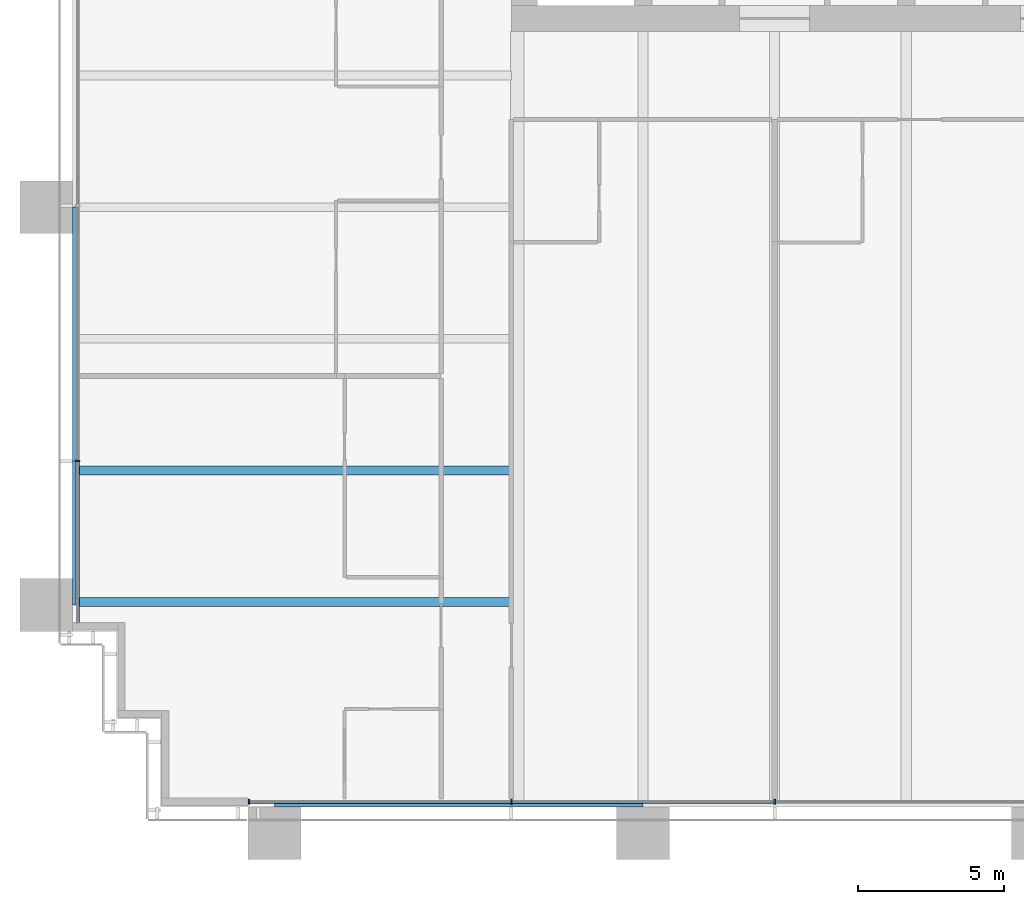
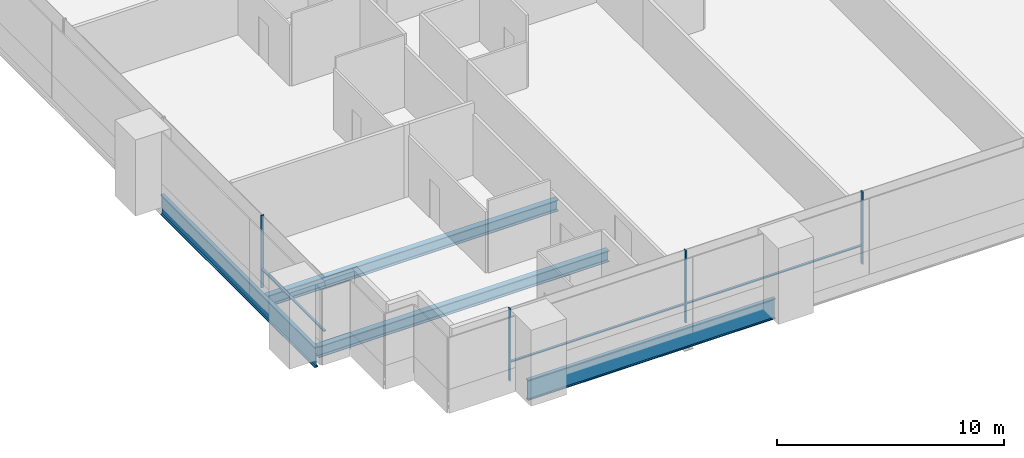
# One storey, part 2 of 19: 7 members, 4 beams, 2 elements without a shape of their own.
"""IFC4 building model written with IfcOpenShell, lengths in metres."""

from ifc_helpers import new_model, si_unit, direction, frame, origin, origin_2d, place, context, subcontext, project, spatial, rectangle, i_section, extrude, material, material_profile, profile_set, type_object, element, aggregate, save


model = new_model("IFC4")

# Units and contexts
model_context = context("Model", 3, precision=1e-05, world=origin(), true_north=direction((0.0, 1.0)))
body_context = subcontext(model_context, "Body", "Model", "MODEL_VIEW")
ifc_project = project(units=[si_unit("LENGTHUNIT", "METRE"), si_unit("AREAUNIT", "SQUARE_METRE"), si_unit("VOLUMEUNIT", "CUBIC_METRE"), si_unit("PLANEANGLEUNIT", "RADIAN"), si_unit("MASSUNIT", "GRAM", prefix="KILO")], contexts=[model_context])

# Site, building, storey
site_placement = place(None, origin())
site = spatial("IfcSite", under=ifc_project, at=site_placement, CompositionType="ELEMENT")
building_placement = place(site_placement, origin())
building = spatial("IfcBuilding", under=site, at=building_placement, Name="Rattan Terrace Tower", CompositionType="ELEMENT")
storey_placement = place(building_placement, frame((0.0, 0.0, 65.199951171875)))
storey = spatial("IfcBuildingStorey", under=building, at=storey_placement, Name="L14", CompositionType="ELEMENT", Elevation=65.199951171875)

# Curtain wall, member
ifc_material_1 = material(Name="Aluminium and glass", Category="aluminium")
curtain_wall_type = type_object("IfcCurtainWallType", Name="Facade Unitised Curtain Wall", PredefinedType="NOTDEFINED", material=ifc_material_1)
curtain_wall_1_placement = place(storey_placement, origin())
curtain_wall_1 = element("IfcCurtainWall", 1, at=curtain_wall_1_placement, inside=storey, type_object=curtain_wall_type, Name="Curtain wall L14-3", PredefinedType="NOTDEFINED")
ifc_material_2 = material(Name="Aluminium", Category="aluminium")
ifc_material_profile_1 = material_profile(ifc_material_2, rectangle(XDim=0.06005859375, YDim=0.159912109375, at=origin_2d()), Name="Aluminium 60x160")
ifc_profile_set_1 = profile_set([ifc_material_profile_1], Name="Aluminium")
member_type_1 = type_object("IfcMemberType", Name="Facade CW Mullion 60x160", PredefinedType="MULLION", material=ifc_profile_set_1)
member_1_placement = place(storey_placement, frame((-32.830078125, -22.180908203125, 0.0), z_axis=(0.0, 0.0, 1.0), x_axis=(0.0, -1.0, 0.0)))
member_1 = element("IfcMember", 2, at=member_1_placement, type_object=member_type_1, Name="Mullion cwl-L14-003.4", PredefinedType="MULLION", context=body_context, shape_type="SweptSolid", body=[
    extrude(rectangle(XDim=0.06005859375, YDim=0.159912109375, at=origin_2d()), origin(), (0.0, 0.0, 1.0), 3.900146484375),
])

# Curtain wall, members
curtain_wall_2_placement = place(storey_placement, origin())
curtain_wall_2 = element("IfcCurtainWall", 3, at=curtain_wall_2_placement, inside=storey, type_object=curtain_wall_type, Name="Curtain wall L14-4", PredefinedType="NOTDEFINED")
member_2_placement = place(storey_placement, frame((-26.969970703125, -33.830078125, 0.0), z_axis=(0.0, 0.0, 1.0), x_axis=(1.0, 0.0, 0.0)))
member_2 = element("IfcMember", 4, at=member_2_placement, type_object=member_type_1, Name="Mullion cwl-L14-004.1", PredefinedType="MULLION", context=body_context, shape_type="SweptSolid", body=[
    extrude(rectangle(XDim=0.06005859375, YDim=0.159912109375, at=origin_2d()), origin(), (0.0, 0.0, 1.0), 3.900146484375),
])
member_3_placement = place(storey_placement, frame((-18.0, -33.830078125, 0.0), z_axis=(0.0, 0.0, 1.0), x_axis=(1.0, 0.0, 0.0)))
member_3 = element("IfcMember", 5, at=member_3_placement, type_object=member_type_1, Name="Mullion cwl-L14-004.2", PredefinedType="MULLION", context=body_context, shape_type="SweptSolid", body=[
    extrude(rectangle(XDim=0.06005859375, YDim=0.159912109375, at=origin_2d()), origin(), (0.0, 0.0, 1.0), 3.900146484375),
])
member_4_placement = place(storey_placement, frame((-9.0, -33.830078125, 0.0), z_axis=(0.0, 0.0, 1.0), x_axis=(1.0, 0.0, 0.0)))
member_4 = element("IfcMember", 6, at=member_4_placement, type_object=member_type_1, Name="Mullion cwl-L14-004.3", PredefinedType="MULLION", context=body_context, shape_type="SweptSolid", body=[
    extrude(rectangle(XDim=0.06005859375, YDim=0.159912109375, at=origin_2d()), origin(), (0.0, 0.0, 1.0), 3.900146484375),
])

# Member
ifc_material_3 = material(Name="Aluminium", Category="aluminium")
ifc_material_profile_2 = material_profile(ifc_material_3, rectangle(XDim=0.1201171875, YDim=0.06005859375, at=origin_2d()), Name="Aluminium 120x60")
ifc_profile_set_2 = profile_set([ifc_material_profile_2], Name="Aluminium")
member_type_2 = type_object("IfcMemberType", Name="Facade CW Transom 120x60", PredefinedType="USERDEFINED", material=ifc_profile_set_2)
member_5_placement = place(storey_placement, frame((-32.830078125, -22.2109375, 1.0), z_axis=(0.0, -1.0, 0.0), x_axis=(1.0, 0.0, 0.0)))
member_5 = element("IfcMember", 7, at=member_5_placement, type_object=member_type_2, Name="Transom cwl-L14-003.4", ObjectType="TRANSOM", PredefinedType="USERDEFINED", context=body_context, shape_type="SweptSolid", body=[
    extrude(rectangle(XDim=0.1201171875, YDim=0.06005859375, at=origin_2d()), origin(), (0.0, 0.0, 1.0), 5.494140625),
])

aggregate(curtain_wall_1, [member_1, member_5])

member_6_placement = place(storey_placement, frame((-26.93994140625, -33.830078125, 1.0), z_axis=(1.0, 0.0, 0.0), x_axis=(0.0, 1.0, 0.0)))
member_6 = element("IfcMember", 8, at=member_6_placement, type_object=member_type_2, Name="Transom cwl-L14-004.1", ObjectType="TRANSOM", PredefinedType="USERDEFINED", context=body_context, shape_type="SweptSolid", body=[
    extrude(rectangle(XDim=0.1201171875, YDim=0.06005859375, at=origin_2d()), origin(), (0.0, 0.0, 1.0), 8.909912109375),
])

member_7_placement = place(storey_placement, frame((-17.969970703125, -33.830078125, 1.0), z_axis=(1.0, 0.0, 0.0), x_axis=(0.0, 1.0, 0.0)))
member_7 = element("IfcMember", 9, at=member_7_placement, type_object=member_type_2, Name="Transom cwl-L14-004.2", ObjectType="TRANSOM", PredefinedType="USERDEFINED", context=body_context, shape_type="SweptSolid", body=[
    extrude(rectangle(XDim=0.1201171875, YDim=0.06005859375, at=origin_2d()), origin(), (0.0, 0.0, 1.0), 8.93994140625),
])

aggregate(curtain_wall_2, [member_2, member_3, member_4, member_6, member_7])

# Beams
ifc_material_4 = material(Name="Steel S460", Category="steel")
ifc_material_profile_3 = material_profile(ifc_material_4, i_section(OverallWidth=0.179931640625, OverallDepth=1.10009765625, WebThickness=0.01611328125, FlangeThickness=0.050048828125, at=origin_2d()), Name="PG 1100x180-16-50")
ifc_profile_set_3 = profile_set([ifc_material_profile_3], Name="Steel S460")
beam_type_1 = type_object("IfcBeamType", Name="Frame edge girder PG 1100x180-16-50", PredefinedType="SPANDREL", material=ifc_profile_set_3)
beam_1_placement = place(storey_placement, frame((-26.10009765625, -33.909912109375, -0.75), z_axis=(1.0, 0.0, 0.0), x_axis=(0.0, 1.0, 0.0)))
element("IfcBeam", 10, at=beam_1_placement, inside=storey, type_object=beam_type_1, Name="gdr-L14-001", PredefinedType="SPANDREL", context=body_context, shape_type="SweptSolid", body=[
    extrude(i_section(OverallWidth=0.179931640625, OverallDepth=1.10009765625, WebThickness=0.01611328125, FlangeThickness=0.050048828125, at=origin_2d()), origin(), (0.0, 0.0, 1.0), 12.60009765625),
])
beam_2_placement = place(storey_placement, frame((-32.909912109375, -13.5, -0.75), z_axis=(0.0, -1.0, 0.0), x_axis=(1.0, 0.0, 0.0)))
element("IfcBeam", 11, at=beam_2_placement, inside=storey, type_object=beam_type_1, Name="gdr-L14-006", PredefinedType="SPANDREL", context=body_context, shape_type="SweptSolid", body=[
    extrude(i_section(OverallWidth=0.179931640625, OverallDepth=1.10009765625, WebThickness=0.01611328125, FlangeThickness=0.050048828125, at=origin_2d()), origin(), (0.0, 0.0, 1.0), 13.60009765625),
])
ifc_material_5 = material(Name="Steel S355", Category="steel")
ifc_material_profile_4 = material_profile(ifc_material_5, i_section(OverallWidth=0.300048828125, OverallDepth=0.60009765625, WebThickness=0.015380859375, FlangeThickness=0.030029296875, FilletRadius=0.027099609375, at=origin_2d()), Name="HE 600 B")
ifc_profile_set_4 = profile_set([ifc_material_profile_4], Name="Steel S355")
beam_type_2 = type_object("IfcBeamType", Name="Frame floor beam HE 600 B", PredefinedType="JOIST", material=ifc_profile_set_4)
for number, where, z_axis, x_axis, name in (
    (12, (-32.820068359375, -27.0, -0.5), (1.0, 0.0, 0.0), (0.0, 1.0, 0.0), "bm-L14-010"),
    (13, (-32.820068359375, -22.5, -0.5), (1.0, 0.0, 0.0), (0.0, 1.0, 0.0), "bm-L14-012"),
):
    element("IfcBeam", number, at=place(storey_placement, frame(where, z_axis=z_axis, x_axis=x_axis)), inside=storey, type_object=beam_type_2, Name=name, PredefinedType="JOIST", context=body_context, shape_type="SweptSolid", body=[
        extrude(i_section(OverallWidth=0.300048828125, OverallDepth=0.60009765625, WebThickness=0.015380859375, FlangeThickness=0.030029296875, FilletRadius=0.027099609375, at=origin_2d()), origin(), (0.0, 0.0, 1.0), 14.820068359375),
    ])

save(model, "model.ifc")
